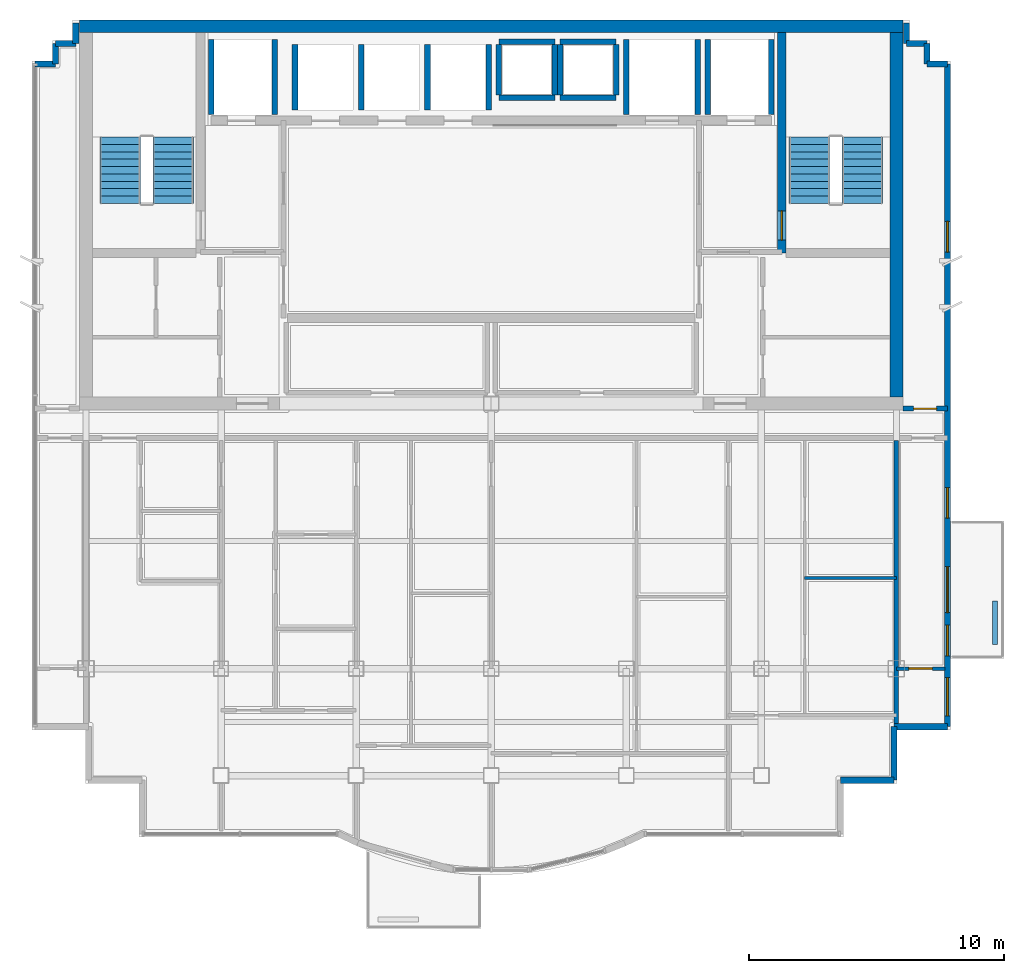
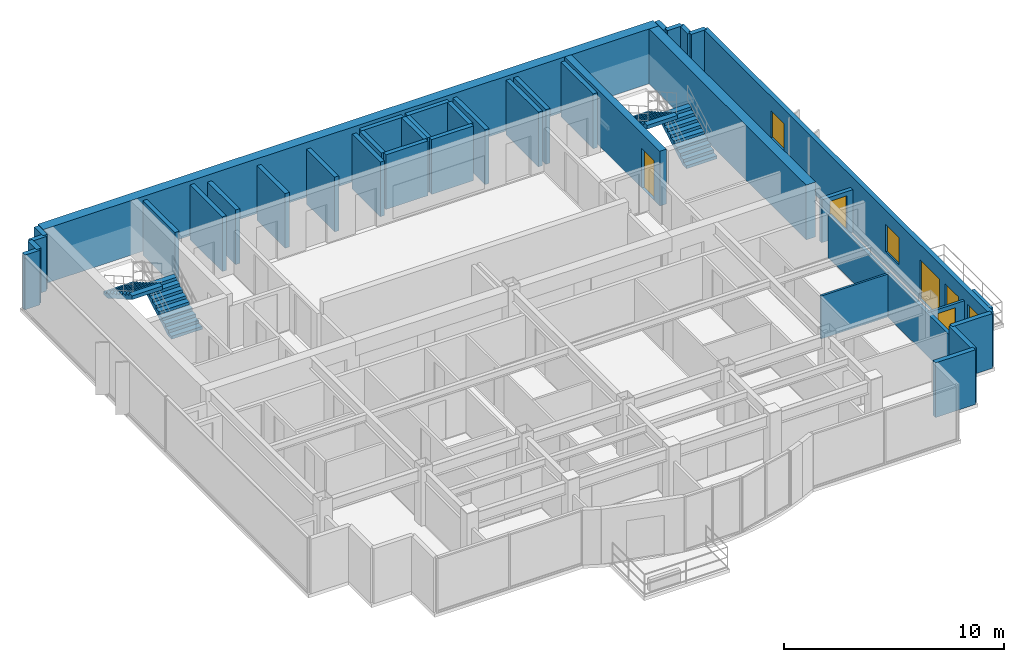
# One storey, part 8 of 11: 38 walls, 4 doors, 4 stair flights, 4 windows, 8 openings, 2 elements without a shape of their own.
"""IFC4 building model written with IfcOpenShell, lengths in metres."""

from ifc_helpers import new_model, si_unit, direction, frame, frame_2d, origin, place, context, subcontext, project, spatial, polyline, rectangle, outline, extrude, material, layer, layer_set, type_object, element, fill, aggregate, save


model = new_model("IFC4")

# Units and contexts
model_context = context("Model", 3, precision=1e-05, world=origin(), true_north=direction((0.0, 1.0)))
body_context = subcontext(model_context, "Body", "Model", "MODEL_VIEW")
ifc_project = project(units=[si_unit("LENGTHUNIT", "METRE"), si_unit("AREAUNIT", "SQUARE_METRE"), si_unit("VOLUMEUNIT", "CUBIC_METRE"), si_unit("PLANEANGLEUNIT", "RADIAN"), si_unit("MASSUNIT", "GRAM", prefix="KILO")], contexts=[model_context])

# Site, building, storey
site_placement = place(None, origin())
site = spatial("IfcSite", under=ifc_project, at=site_placement, CompositionType="ELEMENT")
building_placement = place(site_placement, origin())
building = spatial("IfcBuilding", under=site, at=building_placement, Name="Qianlan Lanfeng Residences", CompositionType="ELEMENT")
storey_placement = place(building_placement, frame((0.0, 0.0, 262.699951171875)))
storey = spatial("IfcBuildingStorey", under=building, at=storey_placement, Name="L73", CompositionType="ELEMENT", Elevation=262.699951171875)

# Wall, opening, door
ifc_material_1 = material(Name="Concrete C49", Category="concrete")
ifc_layer_1 = layer(ifc_material_1, 0.35009765625)
ifc_layer_set_1 = layer_set([ifc_layer_1], Name="Concrete C49")
wall_type_1 = type_object("IfcWallType", Name="CW-RC-350", PredefinedType="SHEAR", material=ifc_layer_set_1)
wall_1_placement = place(storey_placement, frame((37.89990234375, 31.10009765625, 0.0), z_axis=(0.0, 0.0, 1.0), x_axis=(0.0, 1.0, 0.0)))
wall_1 = element("IfcWall", 1, at=wall_1_placement, inside=storey, type_object=wall_type_1, Name="L73 Core Shear Wall ST2W", PredefinedType="SHEAR", context=body_context, shape_type="SweptSolid", body=[
    extrude(rectangle(XDim=8.64990234375, YDim=0.35009765625, at=frame_2d((4.324951171875, 0.0))), origin(), (0.0, 0.0, 1.0), 3.0400390625),
])
opening_1_placement = place(wall_1_placement, frame((0.510009765625, 0.0, 0.0)))
opening_1 = element("IfcOpeningElement", 2, at=opening_1_placement, cuts=wall_1, Name="Opening L73-D08", PredefinedType="OPENING", context=body_context, shape_type="SweptSolid", body=[
    extrude(rectangle(XDim=1.14990234375, YDim=2.199951171875, at=frame_2d((0.574951171875, 1.10009765625))), frame((0.0, 0.18505859375, 0.0), z_axis=(0.0, -1.0, 0.0), x_axis=(1.0, 0.0, 0.0)), (0.0, 0.0, 1.0), 0.3701171875),
])
ifc_material_2 = material(Name="Painted Galvanised Steel Fire Door", Category="steel")
door_type_1 = type_object("IfcDoorType", Name="DT-ST1", OperationType="NOTDEFINED", PredefinedType="DOOR", material=ifc_material_2)
door_1_placement = place(opening_1_placement, origin())
door_1 = element("IfcDoor", 3, at=door_1_placement, inside=storey, type_object=door_type_1, Name="L73 Exit Stair ST-2 Door L73-D08 (DT-ST1)", OperationType="SINGLE_SWING_RIGHT", OverallHeight=2.199951171875, OverallWidth=1.14990234375, PredefinedType="DOOR", context=body_context, shape_type="SweptSolid", body=[
    extrude(rectangle(XDim=1.14990234375, YDim=2.199951171875, at=frame_2d((0.574951171875, 1.10009765625))), frame((0.0, 0.02490234375, 0.0), z_axis=(0.0, -1.0, 0.0), x_axis=(1.0, 0.0, 0.0)), (0.0, 0.0, 1.0), 0.050048828125),
])
fill(opening_1, door_1)

# Walls
ifc_material_3 = material(Name="Concrete C70", Category="concrete")
ifc_layer_2 = layer(ifc_material_3, 0.5)
ifc_layer_set_2 = layer_set([ifc_layer_2], Name="Concrete C70")
wall_type_2 = type_object("IfcWallType", Name="CW-RC-500", PredefinedType="SHEAR", material=ifc_layer_set_2)
wall_2_placement = place(storey_placement, frame((10.35009765625, 40.0, 0.0), z_axis=(0.0, 0.0, 1.0), x_axis=(1.0, 0.0, 0.0)))
element("IfcWall", 4, at=wall_2_placement, inside=storey, type_object=wall_type_2, Name="L73 Core Shear Wall N", PredefinedType="SHEAR", context=body_context, shape_type="SweptSolid", body=[
    extrude(rectangle(XDim=32.2998046875, YDim=0.5, at=frame_2d((16.14990234375, 0.0))), origin(), (0.0, 0.0, 1.0), 3.0400390625),
])
wall_3_placement = place(storey_placement, frame((42.39990234375, 25.449951171875, 0.0), z_axis=(0.0, 0.0, 1.0), x_axis=(0.0, 1.0, 0.0)))
element("IfcWall", 5, at=wall_3_placement, inside=storey, type_object=wall_type_2, Name="L73 Core Shear Wall E", PredefinedType="SHEAR", context=body_context, shape_type="SweptSolid", body=[
    extrude(rectangle(XDim=14.300048828125, YDim=0.5, at=frame_2d((7.14990234375, 0.0))), origin(), (0.0, 0.0, 1.0), 3.0400390625),
])
ifc_material_4 = material(Name="Concrete C42", Category="concrete")
ifc_layer_3 = layer(ifc_material_4, 0.239990234375)
ifc_layer_set_3 = layer_set([ifc_layer_3], Name="Concrete C42")
wall_type_3 = type_object("IfcWallType", Name="EW-240", PredefinedType="SOLIDWALL", material=ifc_layer_set_3)
for number, where, z_axis, x_axis, name in (
    (6, (40.199951171875, 10.419921875, 0.0), (0.0, 0.0, 1.0), (1.0, 0.0, 0.0), "L73 Exterior Facade Spandrel Wall 10"),
    (7, (42.300048828125, 10.419921875, 0.0), (0.0, 0.0, 1.0), (0.0, 1.0, 0.0), "L73 Exterior Facade Spandrel Wall 11"),
):
    element("IfcWall", number, at=place(storey_placement, frame(where, z_axis=z_axis, x_axis=x_axis)), inside=storey, type_object=wall_type_3, Name=name, PredefinedType="SOLIDWALL", context=body_context, shape_type="SweptSolid", body=[
        extrude(rectangle(XDim=2.10009765625, YDim=0.239990234375, at=frame_2d((1.050048828125, 0.0))), origin(), (0.0, 0.0, 1.0), 3.0400390625),
    ])
wall_4_placement = place(storey_placement, frame((42.300048828125, 12.52001953125, 0.0), z_axis=(0.0, 0.0, 1.0), x_axis=(1.0, 0.0, 0.0)))
element("IfcWall", 8, at=wall_4_placement, inside=storey, type_object=wall_type_3, Name="L73 Exterior Facade Spandrel Wall 12", PredefinedType="SOLIDWALL", context=body_context, shape_type="SweptSolid", body=[
    extrude(rectangle(XDim=2.099853515625, YDim=0.239990234375, at=frame_2d((1.0498046875, 0.0))), origin(), (0.0, 0.0, 1.0), 3.0400390625),
])

# Wall, openings, door, windows
wall_5_placement = place(storey_placement, frame((44.39990234375, 12.52001953125, 0.0), z_axis=(0.0, 0.0, 1.0), x_axis=(0.0, 1.0, 0.0)))
wall_5 = element("IfcWall", 9, at=wall_5_placement, inside=storey, type_object=wall_type_3, Name="L73 Terrace/Balcony Access Exterior Wall 13", PredefinedType="SOLIDWALL", context=body_context, shape_type="SweptSolid", body=[
    extrude(rectangle(XDim=26.010009765625, YDim=0.239990234375, at=frame_2d((13.0048828125, 0.0))), origin(), (0.0, 0.0, 1.0), 3.0400390625),
])
opening_2_placement = place(wall_5_placement, frame((4.47998046875, 0.0, 0.0)))
opening_2 = element("IfcOpeningElement", 10, at=opening_2_placement, cuts=wall_5, Name="Opening L73-D-EB-S", PredefinedType="OPENING", context=body_context, shape_type="SweptSolid", body=[
    extrude(rectangle(XDim=1.800048828125, YDim=2.199951171875, at=frame_2d((0.89990234375, 1.10009765625))), frame((0.0, 0.1298828125, 0.0), z_axis=(0.0, -1.0, 0.0), x_axis=(1.0, 0.0, 0.0)), (0.0, 0.0, 1.0), 0.260009765625),
])
opening_3_placement = place(wall_5_placement, frame((0.426025390625, 0.0, 0.75)))
opening_3 = element("IfcOpeningElement", 11, at=opening_3_placement, cuts=wall_5, Name="Opening W-02", PredefinedType="OPENING", context=body_context, shape_type="SweptSolid", body=[
    extrude(rectangle(XDim=1.5, YDim=1.60009765625, at=frame_2d((0.75, 0.800048828125))), frame((0.0, 0.1298828125, 0.0), z_axis=(0.0, -1.0, 0.0), x_axis=(1.0, 0.0, 0.0)), (0.0, 0.0, 1.0), 0.260009765625),
])
opening_4_placement = place(wall_5_placement, frame((2.783935546875, 0.0, 0.75)))
opening_4 = element("IfcOpeningElement", 12, at=opening_4_placement, cuts=wall_5, Name="Opening W-03", PredefinedType="OPENING", context=body_context, shape_type="SweptSolid", body=[
    extrude(rectangle(XDim=1.199951171875, YDim=1.5, at=frame_2d((0.60009765625, 0.75))), frame((0.0, 0.1298828125, 0.0), z_axis=(0.0, -1.0, 0.0), x_axis=(1.0, 0.0, 0.0)), (0.0, 0.0, 1.0), 0.260009765625),
])
opening_5_placement = place(wall_5_placement, frame((8.18505859375, 0.0, 0.75)))
opening_5 = element("IfcOpeningElement", 13, at=opening_5_placement, cuts=wall_5, Name="Opening W-03", PredefinedType="OPENING", context=body_context, shape_type="SweptSolid", body=[
    extrude(rectangle(XDim=1.199951171875, YDim=1.5, at=frame_2d((0.60009765625, 0.75))), frame((0.0, 0.1298828125, 0.0), z_axis=(0.0, -1.0, 0.0), x_axis=(1.0, 0.0, 0.0)), (0.0, 0.0, 1.0), 0.260009765625),
])
opening_6_placement = place(wall_5_placement, frame((18.625, 0.0, 0.75)))
opening_6 = element("IfcOpeningElement", 14, at=opening_6_placement, cuts=wall_5, Name="Opening W-03", PredefinedType="OPENING", context=body_context, shape_type="SweptSolid", body=[
    extrude(rectangle(XDim=1.199951171875, YDim=1.5, at=frame_2d((0.60009765625, 0.75))), frame((0.0, 0.1298828125, 0.0), z_axis=(0.0, -1.0, 0.0), x_axis=(1.0, 0.0, 0.0)), (0.0, 0.0, 1.0), 0.260009765625),
])
ifc_material_5 = material(Name="Anodised Bronze Aluminium Framed Glass", Category="aluminium")
door_type_2 = type_object("IfcDoorType", Name="DT-BAL1", OperationType="NOTDEFINED", PredefinedType="DOOR", material=ifc_material_5)
door_2_placement = place(opening_2_placement, frame((1.800048828125, 0.0, 0.0), z_axis=(0.0, 0.0, 1.0), x_axis=(-1.0, 0.0, 0.0)))
door_2 = element("IfcDoor", 15, at=door_2_placement, inside=storey, type_object=door_type_2, Name="L73 Exterior Access Door EB-S", OperationType="DOUBLE_DOOR_SLIDING", OverallHeight=2.199951171875, OverallWidth=1.800048828125, PredefinedType="DOOR", context=body_context, shape_type="SweptSolid", body=[
    extrude(rectangle(XDim=1.800048828125, YDim=2.199951171875, at=frame_2d((0.89990234375, 1.10009765625))), frame((0.0, 0.02490234375, 0.0), z_axis=(0.0, -1.0, 0.0), x_axis=(1.0, 0.0, 0.0)), (0.0, 0.0, 1.0), 0.050048828125),
])
fill(opening_2, door_2)
ifc_material_6 = material(Name="Anodised Bronze Aluminium Framed Double Glazing", Category="aluminium")
window_type_1 = type_object("IfcWindowType", Name="W-02", PartitioningType="SINGLE_PANEL", PredefinedType="WINDOW", material=ifc_material_6)
window_1_placement = place(opening_3_placement, origin())
window_1 = element("IfcWindow", 16, at=window_1_placement, inside=storey, type_object=window_type_1, Name="L73 Exterior Window W-06", OverallHeight=1.60009765625, OverallWidth=1.5, PartitioningType="SINGLE_PANEL", PredefinedType="WINDOW", context=body_context, shape_type="SweptSolid", body=[
    extrude(rectangle(XDim=1.5, YDim=1.60009765625, at=frame_2d((0.75, 0.800048828125))), frame((0.0, 0.030029296875, 0.0), z_axis=(0.0, -1.0, 0.0), x_axis=(1.0, 0.0, 0.0)), (0.0, 0.0, 1.0), 0.06005859375),
])
fill(opening_3, window_1)
window_type_2 = type_object("IfcWindowType", Name="W-03", PartitioningType="SINGLE_PANEL", PredefinedType="WINDOW", material=ifc_material_6)
window_2_placement = place(opening_4_placement, origin())
window_2 = element("IfcWindow", 17, at=window_2_placement, inside=storey, type_object=window_type_2, Name="L73 Facade Bay Window W-03", OverallHeight=1.5, OverallWidth=1.199951171875, PartitioningType="SINGLE_PANEL", PredefinedType="WINDOW", context=body_context, shape_type="SweptSolid", body=[
    extrude(rectangle(XDim=1.199951171875, YDim=1.5, at=frame_2d((0.60009765625, 0.75))), frame((0.0, 0.030029296875, 0.0), z_axis=(0.0, -1.0, 0.0), x_axis=(1.0, 0.0, 0.0)), (0.0, 0.0, 1.0), 0.06005859375),
])
fill(opening_4, window_2)
window_3_placement = place(opening_5_placement, origin())
window_3 = element("IfcWindow", 18, at=window_3_placement, inside=storey, type_object=window_type_2, Name="L73 Facade Bay Window W-03", OverallHeight=1.5, OverallWidth=1.199951171875, PartitioningType="SINGLE_PANEL", PredefinedType="WINDOW", context=body_context, shape_type="SweptSolid", body=[
    extrude(rectangle(XDim=1.199951171875, YDim=1.5, at=frame_2d((0.60009765625, 0.75))), frame((0.0, 0.030029296875, 0.0), z_axis=(0.0, -1.0, 0.0), x_axis=(1.0, 0.0, 0.0)), (0.0, 0.0, 1.0), 0.06005859375),
])
fill(opening_5, window_3)
window_4_placement = place(opening_6_placement, origin())
window_4 = element("IfcWindow", 19, at=window_4_placement, inside=storey, type_object=window_type_2, Name="L73 Facade Bay Window W-03", OverallHeight=1.5, OverallWidth=1.199951171875, PartitioningType="SINGLE_PANEL", PredefinedType="WINDOW", context=body_context, shape_type="SweptSolid", body=[
    extrude(rectangle(XDim=1.199951171875, YDim=1.5, at=frame_2d((0.60009765625, 0.75))), frame((0.0, 0.030029296875, 0.0), z_axis=(0.0, -1.0, 0.0), x_axis=(1.0, 0.0, 0.0)), (0.0, 0.0, 1.0), 0.06005859375),
])
fill(opening_6, window_4)

# Walls
wall_6_placement = place(storey_placement, frame((44.39990234375, 38.530029296875, 0.0), z_axis=(0.0, 0.0, 1.0), x_axis=(-1.0, 0.0, 0.0)))
element("IfcWall", 20, at=wall_6_placement, inside=storey, type_object=wall_type_3, Name="L73 Exterior Facade Spandrel Wall 14", PredefinedType="SOLIDWALL", context=body_context, shape_type="SweptSolid", body=[
    extrude(rectangle(XDim=0.7998046875, YDim=0.239990234375, at=frame_2d((0.39990234375, 0.0))), origin(), (0.0, 0.0, 1.0), 3.0400390625),
])
for number, where, z_axis, x_axis, name in (
    (21, (43.60009765625, 38.530029296875, 0.0), (0.0, 0.0, 1.0), (0.0, 1.0, 0.0), "L73 Exterior Facade Spandrel Wall 15"),
    (22, (43.60009765625, 39.330078125, 0.0), (0.0, 0.0, 1.0), (-1.0, 0.0, 0.0), "L73 Exterior Facade Spandrel Wall 16"),
):
    element("IfcWall", number, at=place(storey_placement, frame(where, z_axis=z_axis, x_axis=x_axis)), inside=storey, type_object=wall_type_3, Name=name, PredefinedType="SOLIDWALL", context=body_context, shape_type="SweptSolid", body=[
        extrude(rectangle(XDim=0.800048828125, YDim=0.239990234375, at=frame_2d((0.39990234375, 0.0))), origin(), (0.0, 0.0, 1.0), 3.0400390625),
    ])
for number, where, z_axis, x_axis, name in (
    (23, (42.800048828125, 39.330078125, 0.0), (0.0, 0.0, 1.0), (0.0, 1.0, 0.0), "L73 Exterior Facade Spandrel Wall 17"),
    (24, (10.199951171875, 40.1298828125, 0.0), (0.0, 0.0, 1.0), (0.0, -1.0, 0.0), "L73 Exterior Facade Spandrel Wall 18"),
):
    element("IfcWall", number, at=place(storey_placement, frame(where, z_axis=z_axis, x_axis=x_axis)), inside=storey, type_object=wall_type_3, Name=name, PredefinedType="SOLIDWALL", context=body_context, shape_type="SweptSolid", body=[
        extrude(rectangle(XDim=0.7998046875, YDim=0.239990234375, at=frame_2d((0.39990234375, 0.0))), origin(), (0.0, 0.0, 1.0), 3.0400390625),
    ])
for number, where, z_axis, x_axis, name in (
    (25, (10.199951171875, 39.330078125, 0.0), (0.0, 0.0, 1.0), (-1.0, 0.0, 0.0), "L73 Exterior Facade Spandrel Wall 19"),
    (26, (9.39990234375, 39.330078125, 0.0), (0.0, 0.0, 1.0), (0.0, -1.0, 0.0), "L73 Exterior Facade Spandrel Wall 20"),
):
    element("IfcWall", number, at=place(storey_placement, frame(where, z_axis=z_axis, x_axis=x_axis)), inside=storey, type_object=wall_type_3, Name=name, PredefinedType="SOLIDWALL", context=body_context, shape_type="SweptSolid", body=[
        extrude(rectangle(XDim=0.800048828125, YDim=0.239990234375, at=frame_2d((0.39990234375, 0.0))), origin(), (0.0, 0.0, 1.0), 3.0400390625),
    ])
wall_7_placement = place(storey_placement, frame((9.39990234375, 38.530029296875, 0.0), z_axis=(0.0, 0.0, 1.0), x_axis=(-1.0, 0.0, 0.0)))
element("IfcWall", 27, at=wall_7_placement, inside=storey, type_object=wall_type_3, Name="L73 Exterior Facade Spandrel Wall 21", PredefinedType="SOLIDWALL", context=body_context, shape_type="SweptSolid", body=[
    extrude(rectangle(XDim=0.7998046875, YDim=0.239990234375, at=frame_2d((0.39990234375, 0.0))), origin(), (0.0, 0.0, 1.0), 3.0400390625),
])
ifc_layer_4 = layer(ifc_material_4, 0.199951171875)
ifc_layer_set_4 = layer_set([ifc_layer_4], Name="Concrete C42")
wall_type_4 = type_object("IfcWallType", Name="PL-TREE-200", PredefinedType="PARAPET", material=ifc_layer_set_4)
wall_8_placement = place(storey_placement, frame((46.27001953125, 15.75, 0.0), z_axis=(0.0, 0.0, 1.0), x_axis=(0.0, 1.0, 0.0)))
element("IfcWall", 28, at=wall_8_placement, inside=storey, type_object=wall_type_4, Name="L73 East Tree Planter Curb EB-S", PredefinedType="PARAPET", context=body_context, shape_type="SweptSolid", body=[
    extrude(rectangle(XDim=1.699951171875, YDim=0.199951171875, at=frame_2d((0.85009765625, 0.0))), origin(), (0.0, 0.0, 1.0), 0.650146484375),
])
ifc_material_7 = material(Name="Demountable Acoustic Framing Partition 110 mm")
ifc_layer_5 = layer(ifc_material_7, 0.110107421875)
ifc_layer_set_5 = layer_set([ifc_layer_5], Name="Demountable Acoustic Framing Partition 110 mm")
wall_type_5 = type_object("IfcWallType", Name="PW-110", PredefinedType="MOVABLE", material=ifc_layer_set_5)
wall_9_placement = place(storey_placement, frame((38.800048828125, 18.360107421875, 0.0), z_axis=(0.0, 0.0, 1.0), x_axis=(1.0, 0.0, 0.0)))
element("IfcWall", 29, at=wall_9_placement, inside=storey, type_object=wall_type_5, Name="L73 U01 Specialty Split Wall", PredefinedType="MOVABLE", context=body_context, shape_type="SweptSolid", body=[
    extrude(rectangle(XDim=3.599853515625, YDim=0.110107421875, at=frame_2d((1.7998046875, 0.0))), origin(), (0.0, 0.0, 1.0), 2.380126953125),
])

# Wall, opening, door
ifc_material_8 = material(Name="Moisture-Resistant Gypsum Partition 135 mm")
ifc_layer_6 = layer(ifc_material_8, 0.135009765625)
ifc_layer_set_6 = layer_set([ifc_layer_6], Name="Moisture-Resistant Gypsum Partition 135 mm")
wall_type_6 = type_object("IfcWallType", Name="PW-135", PredefinedType="PARTITIONING", material=ifc_layer_set_6)
wall_10_placement = place(storey_placement, frame((42.39990234375, 14.800048828125, 0.0), z_axis=(0.0, 0.0, 1.0), x_axis=(1.0, 0.0, 0.0)))
wall_10 = element("IfcWall", 30, at=wall_10_placement, inside=storey, type_object=wall_type_6, Name="L73 SEP Mid Partition", PredefinedType="PARTITIONING", context=body_context, shape_type="SweptSolid", body=[
    extrude(rectangle(XDim=1.900146484375, YDim=0.135009765625, at=frame_2d((0.9501953125, 0.0))), origin(), (0.0, 0.0, 1.0), 2.380126953125),
])
opening_7_placement = place(wall_10_placement, frame((0.489990234375, 0.0, 0.0)))
opening_7 = element("IfcOpeningElement", 31, at=opening_7_placement, cuts=wall_10, Name="Opening L73-D40", PredefinedType="OPENING", context=body_context, shape_type="SweptSolid", body=[
    extrude(rectangle(XDim=0.919921875, YDim=2.14990234375, at=frame_2d((0.4599609375, 1.074951171875))), frame((0.0, 0.07763671875, 0.0), z_axis=(0.0, -1.0, 0.0), x_axis=(1.0, 0.0, 0.0)), (0.0, 0.0, 1.0), 0.155029296875),
])
ifc_material_9 = material(Name="Glazed Timber Kitchen/Study Door", Category="wood")
door_type_3 = type_object("IfcDoorType", Name="DT-INT", OperationType="NOTDEFINED", PredefinedType="DOOR", material=ifc_material_9)
door_3_placement = place(opening_7_placement, origin())
door_3 = element("IfcDoor", 32, at=door_3_placement, inside=storey, type_object=door_type_3, Name="L73 SEP Inner Door L73-D40 (DT-INT)", OperationType="SINGLE_SWING_RIGHT", OverallHeight=2.14990234375, OverallWidth=0.919921875, PredefinedType="DOOR", context=body_context, shape_type="SweptSolid", body=[
    extrude(rectangle(XDim=0.919921875, YDim=2.14990234375, at=frame_2d((0.4599609375, 1.074951171875))), frame((0.0, 0.02490234375, 0.0), z_axis=(0.0, -1.0, 0.0), x_axis=(1.0, 0.0, 0.0)), (0.0, 0.0, 1.0), 0.050048828125),
])
fill(opening_7, door_3)

# Wall
ifc_material_10 = material(Name="Double-Layer Acoustic Gypsum Stud Wall 180 mm")
ifc_layer_7 = layer(ifc_material_10, 0.179931640625)
ifc_layer_set_7 = layer_set([ifc_layer_7], Name="Double-Layer Acoustic Gypsum Stud Wall 180 mm")
wall_type_7 = type_object("IfcWallType", Name="PW-180", PredefinedType="PARTITIONING", material=ifc_layer_set_7)
wall_11_placement = place(storey_placement, frame((42.39990234375, 12.6201171875, 0.0), z_axis=(0.0, 0.0, 1.0), x_axis=(0.0, 1.0, 0.0)))
element("IfcWall", 33, at=wall_11_placement, inside=storey, type_object=wall_type_7, Name="L73 Wing Boundary Party Wall E0", PredefinedType="PARTITIONING", context=body_context, shape_type="SweptSolid", body=[
    extrude(rectangle(XDim=11.1298828125, YDim=0.179931640625, at=frame_2d((5.56494140625, 0.0))), origin(), (0.0, 0.0, 1.0), 2.380126953125),
])

# Wall, opening, door
ifc_material_11 = material(Name="Autoclaved Aerated Concrete Blockwork 200 mm", Category="masonry")
ifc_layer_8 = layer(ifc_material_11, 0.199951171875)
ifc_layer_set_8 = layer_set([ifc_layer_8], Name="Autoclaved Aerated Concrete Blockwork 200 mm")
wall_type_8 = type_object("IfcWallType", Name="PW-200", PredefinedType="PARTITIONING", material=ifc_layer_set_8)
wall_12_placement = place(storey_placement, frame((42.64990234375, 25.0, 0.0), z_axis=(0.0, 0.0, 1.0), x_axis=(1.0, 0.0, 0.0)))
wall_12 = element("IfcWall", 34, at=wall_12_placement, inside=storey, type_object=wall_type_8, Name="L73 Corridor NE Wall", PredefinedType="PARTITIONING", context=body_context, shape_type="SweptSolid", body=[
    extrude(rectangle(XDim=1.75, YDim=0.199951171875, at=frame_2d((0.875, 0.0))), origin(), (0.0, 0.0, 1.0), 2.380126953125),
])
opening_8_placement = place(wall_12_placement, frame((0.425048828125, 0.0, 0.0)))
opening_8 = element("IfcOpeningElement", 35, at=opening_8_placement, cuts=wall_12, Name="Opening L73-D43", PredefinedType="OPENING", context=body_context, shape_type="SweptSolid", body=[
    extrude(rectangle(XDim=0.89990234375, YDim=2.14990234375, at=frame_2d((0.449951171875, 1.074951171875))), frame((0.0, 0.10986328125, 0.0), z_axis=(0.0, -1.0, 0.0), x_axis=(1.0, 0.0, 0.0)), (0.0, 0.0, 1.0), 0.219970703125),
])
ifc_material_12 = material(Name="Moisture-Resistant Timber Leaf", Category="wood")
door_type_4 = type_object("IfcDoorType", Name="DT-WC", OperationType="NOTDEFINED", PredefinedType="DOOR", material=ifc_material_12)
door_4_placement = place(opening_8_placement, frame((0.89990234375, 0.0, 0.0), z_axis=(0.0, 0.0, 1.0), x_axis=(-1.0, 0.0, 0.0)))
door_4 = element("IfcDoor", 36, at=door_4_placement, inside=storey, type_object=door_type_4, Name="L73 EW Amenity Salon Door L73-D43 (DT-WC)", OperationType="SINGLE_SWING_LEFT", OverallHeight=2.14990234375, OverallWidth=0.89990234375, PredefinedType="DOOR", context=body_context, shape_type="SweptSolid", body=[
    extrude(rectangle(XDim=0.89990234375, YDim=2.14990234375, at=frame_2d((0.449951171875, 1.074951171875))), frame((0.0, 0.02490234375, 0.0), z_axis=(0.0, -1.0, 0.0), x_axis=(1.0, 0.0, 0.0)), (0.0, 0.0, 1.0), 0.050048828125),
])
fill(opening_8, door_4)

# Walls
ifc_layer_9 = layer(ifc_material_1, 0.219970703125)
ifc_layer_set_9 = layer_set([ifc_layer_9], Name="Concrete C49")
wall_type_9 = type_object("IfcWallType", Name="SHW-220", PredefinedType="SOLIDWALL", material=ifc_layer_set_9)
for number, where, z_axis, x_axis, name in (
    (37, (15.52001953125, 36.550048828125, 0.0), (0.0, 0.0, 1.0), (0.0, 1.0, 0.0), "L73 Lift FFL-1 Shaft Wall W"),
    (38, (18.0, 36.550048828125, 0.0), (0.0, 0.0, 1.0), (0.0, 1.0, 0.0), "L73 Lift FFL-1 Shaft Wall E"),
    (39, (35.0, 36.550048828125, 0.0), (0.0, 0.0, 1.0), (0.0, 1.0, 0.0), "L73 Lift FFL-2 Shaft Wall W"),
    (40, (37.47998046875, 36.550048828125, 0.0), (0.0, 0.0, 1.0), (0.0, 1.0, 0.0), "L73 Lift FFL-2 Shaft Wall E"),
    (41, (31.800048828125, 36.550048828125, 0.0), (0.0, 0.0, 1.0), (0.0, 1.0, 0.0), "L73 Lift SVL-1 Shaft Wall W"),
    (42, (34.60009765625, 36.550048828125, 0.0), (0.0, 0.0, 1.0), (0.0, 1.0, 0.0), "L73 Lift SVL-1 Shaft Wall E"),
):
    element("IfcWall", number, at=place(storey_placement, frame(where, z_axis=z_axis, x_axis=x_axis)), inside=storey, type_object=wall_type_9, Name=name, PredefinedType="SOLIDWALL", context=body_context, shape_type="SweptSolid", body=[
        extrude(rectangle(XDim=2.929931640625, YDim=0.219970703125, at=frame_2d((1.46484375, 0.0))), origin(), (0.0, 0.0, 1.0), 3.0400390625),
    ])
for number, where, z_axis, x_axis, name in (
    (43, (18.800048828125, 36.719970703125, 0.0), (0.0, 0.0, 1.0), (0.0, 1.0, 0.0), "L73 Lift PL-H1 Shaft Wall W"),
    (44, (21.39990234375, 36.719970703125, 0.0), (0.0, 0.0, 1.0), (0.0, 1.0, 0.0), "L73 Lift PL-H2 Shaft Wall W"),
    (45, (24.0, 36.719970703125, 0.0), (0.0, 0.0, 1.0), (0.0, 1.0, 0.0), "L73 Lift PL-H3 Shaft Wall W"),
    (46, (26.39990234375, 36.719970703125, 0.0), (0.0, 0.0, 1.0), (0.0, 1.0, 0.0), "L73 Lift PL-H3 Shaft Wall E"),
):
    element("IfcWall", number, at=place(storey_placement, frame(where, z_axis=z_axis, x_axis=x_axis)), inside=storey, type_object=wall_type_9, Name=name, PredefinedType="SOLIDWALL", context=body_context, shape_type="SweptSolid", body=[
        extrude(rectangle(XDim=2.56005859375, YDim=0.219970703125, at=frame_2d((1.280029296875, 0.0))), origin(), (0.0, 0.0, 1.0), 3.0400390625),
    ])
for number, where, z_axis, x_axis, name in (
    (47, (26.800048828125, 37.31005859375, 0.0), (0.0, 0.0, 1.0), (0.0, 1.0, 0.0), "L73 MEP Riser MEP-R1 Shaft Wall W"),
    (48, (29.0, 37.31005859375, 0.0), (0.0, 0.0, 1.0), (0.0, 1.0, 0.0), "L73 MEP Riser MEP-R1 Shaft Wall E"),
):
    element("IfcWall", number, at=place(storey_placement, frame(where, z_axis=z_axis, x_axis=x_axis)), inside=storey, type_object=wall_type_9, Name=name, PredefinedType="SOLIDWALL", context=body_context, shape_type="SweptSolid", body=[
        extrude(rectangle(XDim=1.97998046875, YDim=0.219970703125, at=frame_2d((0.989990234375, 0.0))), origin(), (0.0, 0.0, 1.0), 3.0400390625),
    ])
for number, where, z_axis, x_axis, name in (
    (49, (26.800048828125, 39.39990234375, 0.0), (0.0, 0.0, 1.0), (1.0, 0.0, 0.0), "L73 MEP Riser MEP-R1 Shaft Wall N"),
    (50, (26.800048828125, 37.199951171875, 0.0), (0.0, 0.0, 1.0), (1.0, 0.0, 0.0), "L73 MEP Riser MEP-R1 Shaft Wall S"),
):
    element("IfcWall", number, at=place(storey_placement, frame(where, z_axis=z_axis, x_axis=x_axis)), inside=storey, type_object=wall_type_9, Name=name, PredefinedType="SOLIDWALL", context=body_context, shape_type="SweptSolid", body=[
        extrude(rectangle(XDim=2.199951171875, YDim=0.219970703125, at=frame_2d((1.10009765625, 0.0))), origin(), (0.0, 0.0, 1.0), 3.0400390625),
    ])
for number, where, z_axis, x_axis, name in (
    (51, (29.199951171875, 37.31005859375, 0.0), (0.0, 0.0, 1.0), (0.0, 1.0, 0.0), "L73 MEP Riser MEP-R2 Shaft Wall W"),
    (52, (31.39990234375, 37.31005859375, 0.0), (0.0, 0.0, 1.0), (0.0, 1.0, 0.0), "L73 MEP Riser MEP-R2 Shaft Wall E"),
):
    element("IfcWall", number, at=place(storey_placement, frame(where, z_axis=z_axis, x_axis=x_axis)), inside=storey, type_object=wall_type_9, Name=name, PredefinedType="SOLIDWALL", context=body_context, shape_type="SweptSolid", body=[
        extrude(rectangle(XDim=1.97998046875, YDim=0.219970703125, at=frame_2d((0.989990234375, 0.0))), origin(), (0.0, 0.0, 1.0), 3.0400390625),
    ])
for number, where, z_axis, x_axis, name in (
    (53, (29.199951171875, 39.39990234375, 0.0), (0.0, 0.0, 1.0), (1.0, 0.0, 0.0), "L73 MEP Riser MEP-R2 Shaft Wall N"),
    (54, (29.199951171875, 37.199951171875, 0.0), (0.0, 0.0, 1.0), (1.0, 0.0, 0.0), "L73 MEP Riser MEP-R2 Shaft Wall S"),
):
    element("IfcWall", number, at=place(storey_placement, frame(where, z_axis=z_axis, x_axis=x_axis)), inside=storey, type_object=wall_type_9, Name=name, PredefinedType="SOLIDWALL", context=body_context, shape_type="SweptSolid", body=[
        extrude(rectangle(XDim=2.199951171875, YDim=0.219970703125, at=frame_2d((1.10009765625, 0.0))), origin(), (0.0, 0.0, 1.0), 3.0400390625),
    ])

# Stair, stair flights
stair_type = type_object("IfcStairType", Name="STR-MAIN", PredefinedType="HALF_TURN_STAIR", material=ifc_material_4)
stair_1_placement = place(storey_placement, origin())
stair_1 = element("IfcStair", 55, at=stair_1_placement, inside=storey, type_object=stair_type, Name="L73 Exit Stair ST-1", PredefinedType="HALF_TURN_STAIR")
stair_flight_type = type_object("IfcStairFlightType", Name="FLT-1720", PredefinedType="STRAIGHT", material=ifc_material_4)
stair_flight_1_placement = place(storey_placement, frame((14.02001953125, 33.050048828125, 0.0), z_axis=(0.0, 0.0, 1.0), x_axis=(0.0, 1.0, 0.0)))
stair_flight_1 = element("IfcStairFlight", 56, at=stair_flight_1_placement, type_object=stair_flight_type, Name="ST-1 flight 1", NumberOfRisers=10, NumberOfTreads=9, PredefinedType="STRAIGHT", RiserHeight=0.165, TreadLength=0.29, context=body_context, shape_type="SweptSolid", body=[
    extrude(outline(polyline([(0.0, 0.0), (0.0, 0.1650390625), (0.2900390625, 0.1650390625), (0.2900390625, 0.330078125), (0.580078125, 0.330078125), (0.580078125, 0.4951171875), (0.8701171875, 0.4951171875), (0.8701171875, 0.659912109375), (1.159912109375, 0.659912109375), (1.159912109375, 0.824951171875), (1.449951171875, 0.824951171875), (1.449951171875, 0.989990234375), (1.739990234375, 0.989990234375), (1.739990234375, 1.155029296875), (2.030029296875, 1.155029296875), (2.030029296875, 1.320068359375), (2.320068359375, 1.320068359375), (2.320068359375, 1.485107421875), (2.610107421875, 1.485107421875), (2.610107421875, 1.64990234375), (2.610107421875, 1.278076171875), (0.36376953125, 0.0), (0.0, 0.0)])), frame((0.0, 0.800048828125, 0.0), z_axis=(0.0, -1.0, 0.0), x_axis=(1.0, 0.0, 0.0)), (0.0, 0.0, 1.0), 1.60009765625),
])
stair_flight_2_placement = place(storey_placement, frame((11.93994140625, 35.659912109375, 1.650146484375), z_axis=(0.0, 0.0, 1.0), x_axis=(0.0, -1.0, 0.0)))
stair_flight_2 = element("IfcStairFlight", 57, at=stair_flight_2_placement, type_object=stair_flight_type, Name="ST-1 flight 2", NumberOfRisers=10, NumberOfTreads=9, PredefinedType="STRAIGHT", RiserHeight=0.165, TreadLength=0.29, context=body_context, shape_type="SweptSolid", body=[
    extrude(outline(polyline([(0.0, 0.0), (0.0, 0.1650390625), (0.2900390625, 0.1650390625), (0.2900390625, 0.330078125), (0.580078125, 0.330078125), (0.580078125, 0.4951171875), (0.8701171875, 0.4951171875), (0.8701171875, 0.659912109375), (1.159912109375, 0.659912109375), (1.159912109375, 0.824951171875), (1.449951171875, 0.824951171875), (1.449951171875, 0.989990234375), (1.739990234375, 0.989990234375), (1.739990234375, 1.155029296875), (2.030029296875, 1.155029296875), (2.030029296875, 1.320068359375), (2.320068359375, 1.320068359375), (2.320068359375, 1.485107421875), (2.610107421875, 1.485107421875), (2.610107421875, 1.64990234375), (2.610107421875, 1.278076171875), (0.36376953125, 0.0), (0.0, 0.0)])), frame((0.0, 0.800048828125, 0.0), z_axis=(0.0, -1.0, 0.0), x_axis=(1.0, 0.0, 0.0)), (0.0, 0.0, 1.0), 1.60009765625),
])
aggregate(stair_1, [stair_flight_1, stair_flight_2])

stair_2_placement = place(storey_placement, origin())
stair_2 = element("IfcStair", 58, at=stair_2_placement, inside=storey, type_object=stair_type, Name="L73 Exit Stair ST-2", PredefinedType="HALF_TURN_STAIR")
stair_flight_3_placement = place(storey_placement, frame((41.06005859375, 33.050048828125, 0.0), z_axis=(0.0, 0.0, 1.0), x_axis=(0.0, 1.0, 0.0)))
stair_flight_3 = element("IfcStairFlight", 59, at=stair_flight_3_placement, type_object=stair_flight_type, Name="ST-2 flight 1", NumberOfRisers=10, NumberOfTreads=9, PredefinedType="STRAIGHT", RiserHeight=0.165, TreadLength=0.29, context=body_context, shape_type="SweptSolid", body=[
    extrude(outline(polyline([(0.0, 0.0), (0.0, 0.1650390625), (0.2900390625, 0.1650390625), (0.2900390625, 0.330078125), (0.580078125, 0.330078125), (0.580078125, 0.4951171875), (0.8701171875, 0.4951171875), (0.8701171875, 0.659912109375), (1.159912109375, 0.659912109375), (1.159912109375, 0.824951171875), (1.449951171875, 0.824951171875), (1.449951171875, 0.989990234375), (1.739990234375, 0.989990234375), (1.739990234375, 1.155029296875), (2.030029296875, 1.155029296875), (2.030029296875, 1.320068359375), (2.320068359375, 1.320068359375), (2.320068359375, 1.485107421875), (2.610107421875, 1.485107421875), (2.610107421875, 1.64990234375), (2.610107421875, 1.278076171875), (0.36376953125, 0.0), (0.0, 0.0)])), frame((0.0, 0.800048828125, 0.0), z_axis=(0.0, -1.0, 0.0), x_axis=(1.0, 0.0, 0.0)), (0.0, 0.0, 1.0), 1.60009765625),
])
stair_flight_4_placement = place(storey_placement, frame((38.97998046875, 35.659912109375, 1.650146484375), z_axis=(0.0, 0.0, 1.0), x_axis=(0.0, -1.0, 0.0)))
stair_flight_4 = element("IfcStairFlight", 60, at=stair_flight_4_placement, type_object=stair_flight_type, Name="ST-2 flight 2", NumberOfRisers=10, NumberOfTreads=9, PredefinedType="STRAIGHT", RiserHeight=0.165, TreadLength=0.29, context=body_context, shape_type="SweptSolid", body=[
    extrude(outline(polyline([(0.0, 0.0), (0.0, 0.1650390625), (0.2900390625, 0.1650390625), (0.2900390625, 0.330078125), (0.580078125, 0.330078125), (0.580078125, 0.4951171875), (0.8701171875, 0.4951171875), (0.8701171875, 0.659912109375), (1.159912109375, 0.659912109375), (1.159912109375, 0.824951171875), (1.449951171875, 0.824951171875), (1.449951171875, 0.989990234375), (1.739990234375, 0.989990234375), (1.739990234375, 1.155029296875), (2.030029296875, 1.155029296875), (2.030029296875, 1.320068359375), (2.320068359375, 1.320068359375), (2.320068359375, 1.485107421875), (2.610107421875, 1.485107421875), (2.610107421875, 1.64990234375), (2.610107421875, 1.278076171875), (0.36376953125, 0.0), (0.0, 0.0)])), frame((0.0, 0.800048828125, 0.0), z_axis=(0.0, -1.0, 0.0), x_axis=(1.0, 0.0, 0.0)), (0.0, 0.0, 1.0), 1.60009765625),
])
aggregate(stair_2, [stair_flight_3, stair_flight_4])

save(model, "model.ifc")
